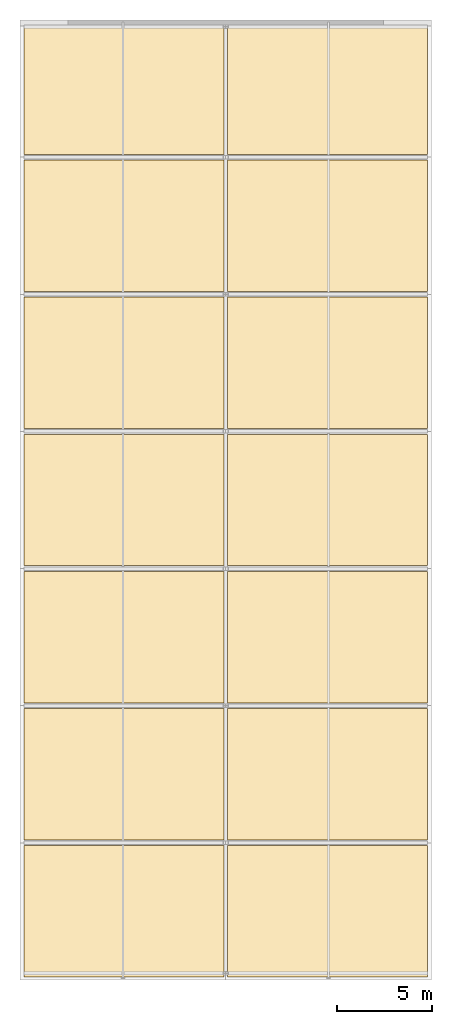
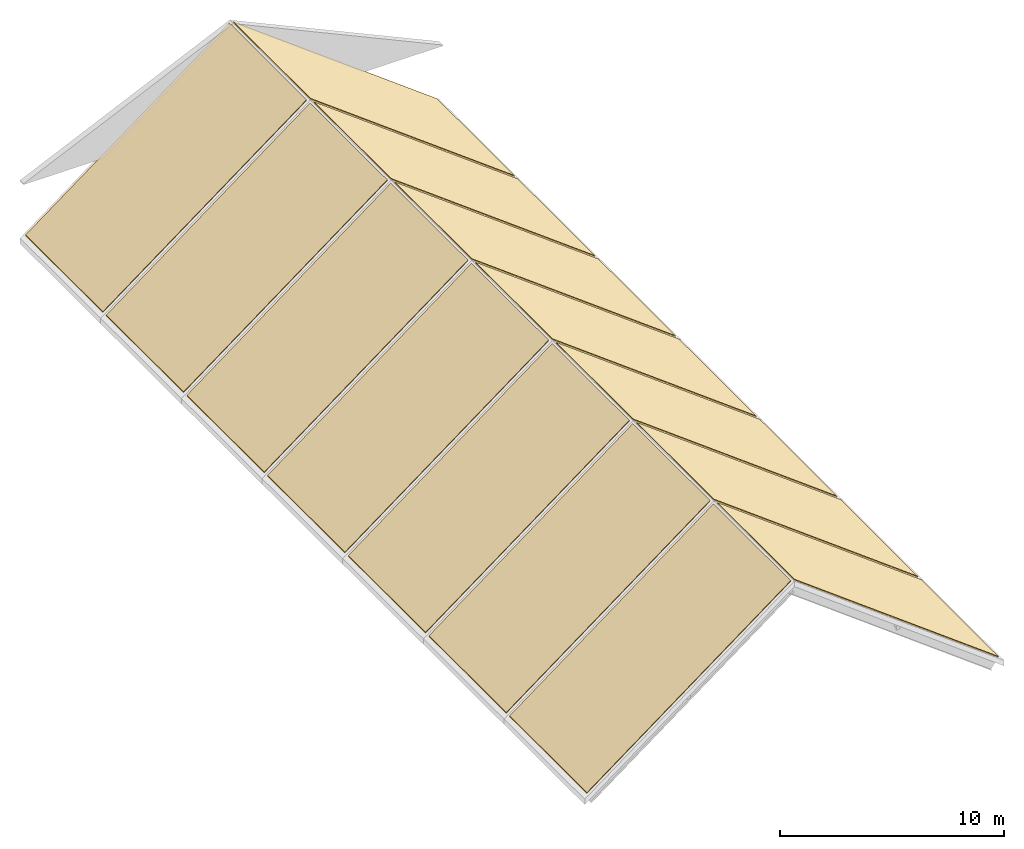
# One storey, part 3 of 3: 14 coverings.
"""IFC4 building model written with IfcOpenShell, lengths in metres."""

from ifc_helpers import new_model, si_unit, derived_unit, direction, frame, origin, place, context, subcontext, project, spatial, polyline, outline, extrude, material, layer, layer_set, type_object, element, save


model = new_model("IFC4")

# Units and contexts
model_context = context("Model", 3, precision=1e-05, world=origin(), true_north=direction((0.0, 1.0)))
body_context = subcontext(model_context, "Body", "Model", "MODEL_VIEW")
ifc_project = project(units=[si_unit("LENGTHUNIT", "METRE"), si_unit("AREAUNIT", "SQUARE_METRE"), si_unit("VOLUMEUNIT", "CUBIC_METRE"), si_unit("PLANEANGLEUNIT", "RADIAN"), si_unit("MASSUNIT", "GRAM", prefix="KILO"), derived_unit("THERMALTRANSMITTANCEUNIT", [(si_unit("MASSUNIT", "GRAM", prefix="KILO"), 1), (si_unit("TIMEUNIT", "SECOND"), -3), (si_unit("THERMODYNAMICTEMPERATUREUNIT", "KELVIN"), -1)])], contexts=[model_context])

# Site, building, storey
site_placement = place(None, origin())
site = spatial("IfcSite", under=ifc_project, at=site_placement, CompositionType="ELEMENT")
building_placement = place(site_placement, origin())
building = spatial("IfcBuilding", under=site, at=building_placement, Name="Ochrekiln Boulevard Commons", CompositionType="ELEMENT")
storey_placement = place(building_placement, frame((0.0, 0.0, 51.675048828125)))
storey = spatial("IfcBuildingStorey", under=building, at=storey_placement, Name="RF", CompositionType="ELEMENT", Elevation=51.675048828125)

# Coverings
ifc_material = material(Name="Crystalline silicon BIPV solar roof slate", Category="masonry")
ifc_layer = layer(ifc_material, 0.044921875)
ifc_layer_set = layer_set([ifc_layer], Name="Crystalline silicon BIPV solar roof slate")
covering_type = type_object("IfcCoveringType", Name="COV-ROOF-SOLAR", PredefinedType="ROOFING", material=ifc_layer_set)
for number, where, z_axis, x_axis, name in (
    (1, (0.199951171875, 75.449951171875, -5.304931640625), (0.0, -1.0, 0.0), (1.0, 0.0, 0.0), "Block A BIPV Solar Roof Array Bay 1W"),
    (2, (21.39990234375, 68.550048828125, -5.304931640625), (0.0, 1.0, 0.0), (-1.0, 0.0, 0.0), "Block A BIPV Solar Roof Array Bay 1E"),
    (3, (0.199951171875, 82.64990234375, -5.304931640625), (0.0, -1.0, 0.0), (1.0, 0.0, 0.0), "Block A BIPV Solar Roof Array Bay 2W"),
    (4, (21.39990234375, 75.75, -5.304931640625), (0.0, 1.0, 0.0), (-1.0, 0.0, 0.0), "Block A BIPV Solar Roof Array Bay 2E"),
    (5, (0.199951171875, 89.85009765625, -5.304931640625), (0.0, -1.0, 0.0), (1.0, 0.0, 0.0), "Block A BIPV Solar Roof Array Bay 3W"),
    (6, (21.39990234375, 82.949951171875, -5.304931640625), (0.0, 1.0, 0.0), (-1.0, 0.0, 0.0), "Block A BIPV Solar Roof Array Bay 3E"),
    (7, (0.199951171875, 97.050048828125, -5.304931640625), (0.0, -1.0, 0.0), (1.0, 0.0, 0.0), "Block A BIPV Solar Roof Array Bay 4W"),
    (8, (21.39990234375, 90.14990234375, -5.304931640625), (0.0, 1.0, 0.0), (-1.0, 0.0, 0.0), "Block A BIPV Solar Roof Array Bay 4E"),
    (9, (0.199951171875, 104.25, -5.304931640625), (0.0, -1.0, 0.0), (1.0, 0.0, 0.0), "Block A BIPV Solar Roof Array Bay 5W"),
    (10, (21.39990234375, 97.35009765625, -5.304931640625), (0.0, 1.0, 0.0), (-1.0, 0.0, 0.0), "Block A BIPV Solar Roof Array Bay 5E"),
    (11, (0.199951171875, 111.449951171875, -5.304931640625), (0.0, -1.0, 0.0), (1.0, 0.0, 0.0), "Block A BIPV Solar Roof Array Bay 6W"),
    (12, (21.39990234375, 104.550048828125, -5.304931640625), (0.0, 1.0, 0.0), (-1.0, 0.0, 0.0), "Block A BIPV Solar Roof Array Bay 6E"),
    (13, (0.199951171875, 118.64990234375, -5.304931640625), (0.0, -1.0, 0.0), (1.0, 0.0, 0.0), "Block A BIPV Solar Roof Array Bay 7W"),
    (14, (21.39990234375, 111.75, -5.304931640625), (0.0, 1.0, 0.0), (-1.0, 0.0, 0.0), "Block A BIPV Solar Roof Array Bay 7E"),
):
    element("IfcCovering", number, at=place(storey_placement, frame(where, z_axis=z_axis, x_axis=x_axis)), inside=storey, type_object=covering_type, Name=name, PredefinedType="ROOFING", context=body_context, shape_type="SweptSolid", body=[
        extrude(outline(polyline([(0.0, 0.0), (10.5, 7.875), (10.5, 7.81884765625), (0.0, -0.05615234375), (0.0, 0.0)])), origin(), (0.0, 0.0, 1.0), 6.89990234375),
    ])

save(model, "model.ifc")
